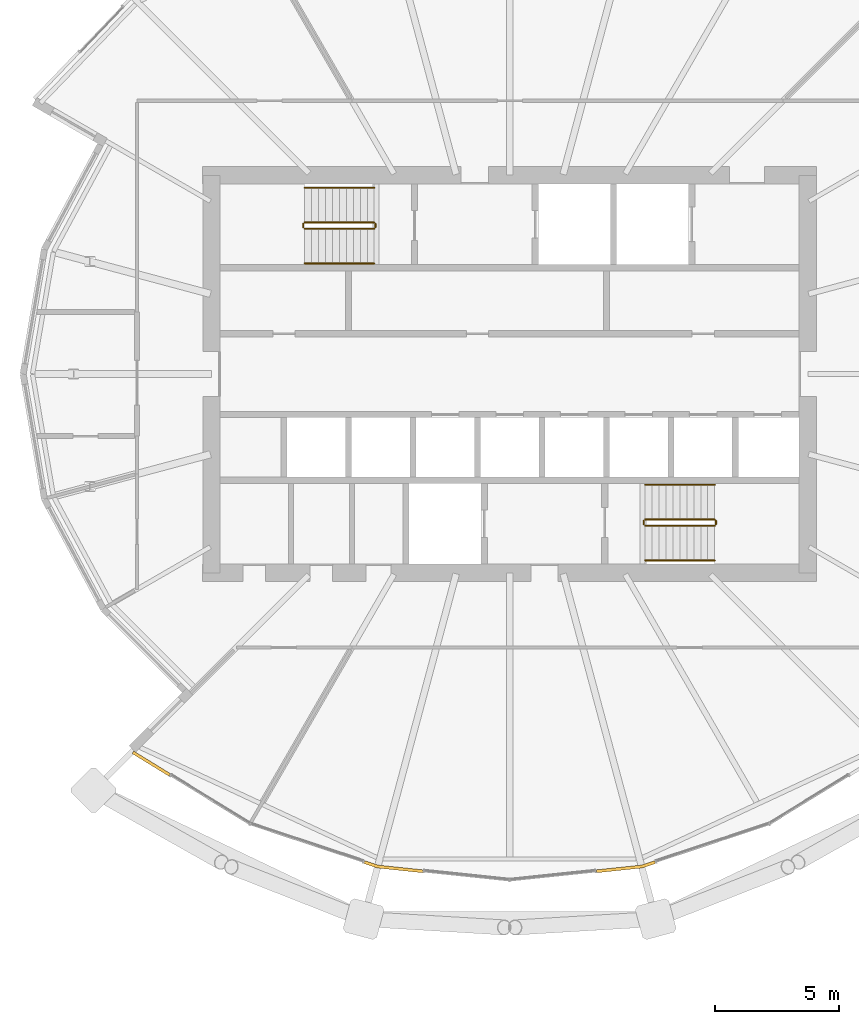
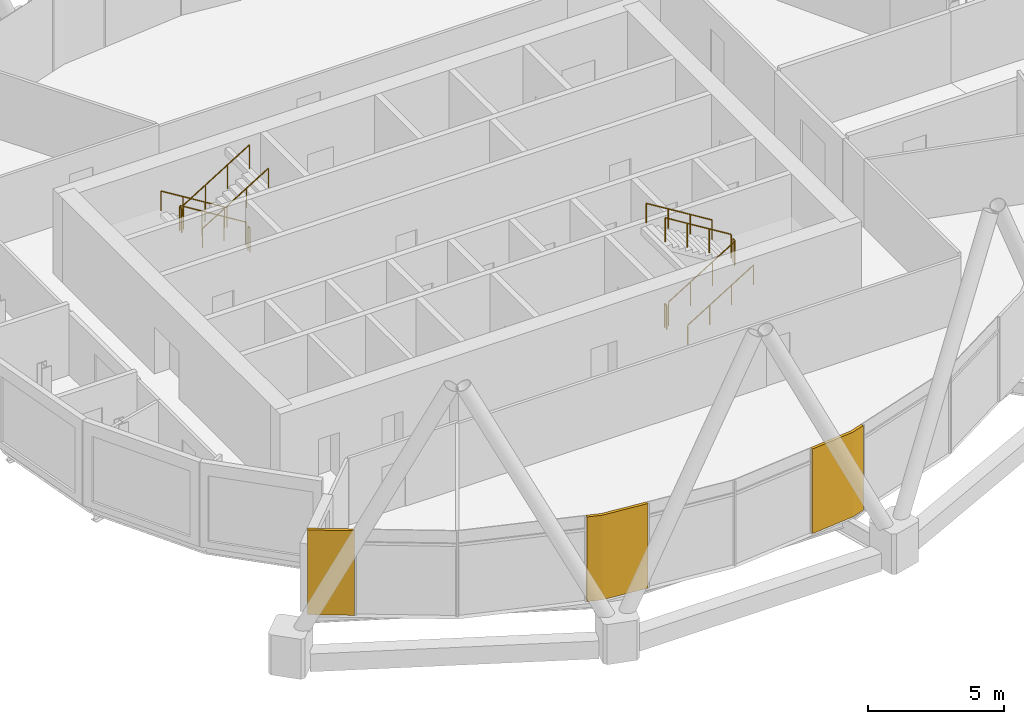
# One storey, part 32 of 35: 12 railings, 3 coverings.
"""IFC4 building model written with IfcOpenShell, lengths in metres."""

from ifc_helpers import new_model, si_unit, direction, frame, origin, origin_2d, place, context, subcontext, project, spatial, polyline, circle, outline, extrude, material, layer, layer_set, type_object, element, save


model = new_model("IFC4")

# Units and contexts
model_context = context("Model", 3, precision=1e-05, world=origin(), true_north=direction((0.0, 1.0)))
body_context = subcontext(model_context, "Body", "Model", "MODEL_VIEW")
ifc_project = project(units=[si_unit("LENGTHUNIT", "METRE"), si_unit("AREAUNIT", "SQUARE_METRE"), si_unit("VOLUMEUNIT", "CUBIC_METRE"), si_unit("PLANEANGLEUNIT", "RADIAN"), si_unit("MASSUNIT", "GRAM", prefix="KILO")], contexts=[model_context])

# Site, building, storey
site_placement = place(None, origin())
site = spatial("IfcSite", under=ifc_project, at=site_placement, CompositionType="ELEMENT")
building_placement = place(site_placement, origin())
building = spatial("IfcBuilding", under=site, at=building_placement, Name="Rimbun Link Towers", CompositionType="ELEMENT")
storey_placement = place(building_placement, frame((0.0, 0.0, 146.800048828125)))
storey = spatial("IfcBuildingStorey", under=building, at=storey_placement, Name="L35", CompositionType="ELEMENT", Elevation=146.800048828125)

# Coverings
ifc_material_1 = material(Name="Terracotta", Category="masonry")
ifc_layer = layer(ifc_material_1, 0.1201171875)
ifc_layer_set = layer_set([ifc_layer], Name="LINK PIER terracotta cladding 120")
covering_type = type_object("IfcCoveringType", Name="LINK PIER terracotta cladding 120", PredefinedType="CLADDING", material=ifc_layer_set)
covering_1_placement = place(storey_placement, origin())
element("IfcCovering", 1, at=covering_1_placement, inside=storey, type_object=covering_type, Name="LINK PIER cladding", PredefinedType="CLADDING", context=body_context, shape_type="SweptSolid", body=[
    extrude(outline(polyline([(-45.395751953125, -16.080322265625), (-46.878662109375, -15.169921875), (-46.94140625, -15.272216796875), (-45.45849609375, -16.1826171875), (-45.395751953125, -16.080322265625)])), origin(), (0.0, 0.0, 1.0), 3.800048828125),
])
covering_2_placement = place(storey_placement, origin())
element("IfcCovering", 2, at=covering_2_placement, inside=storey, type_object=covering_type, Name="LINK PIER cladding", PredefinedType="CLADDING", context=body_context, shape_type="SweptSolid", body=[
    extrude(outline(polyline([(-35.234130859375, -19.94873046875), (-37.044189453125, -19.758056640625), (-37.585205078125, -19.57861328125), (-37.622802734375, -19.692626953125), (-37.069580078125, -19.8759765625), (-35.24658203125, -20.06787109375), (-35.234130859375, -19.94873046875)])), origin(), (0.0, 0.0, 1.0), 3.800048828125),
])
covering_3_placement = place(storey_placement, origin())
element("IfcCovering", 3, at=covering_3_placement, inside=storey, type_object=covering_type, Name="LINK PIER cladding", PredefinedType="CLADDING", context=body_context, shape_type="SweptSolid", body=[
    extrude(outline(polyline([(-25.914794921875, -19.57861328125), (-26.455810546875, -19.758056640625), (-28.265869140625, -19.94873046875), (-28.25341796875, -20.06787109375), (-26.430419921875, -19.8759765625), (-25.877197265625, -19.692626953125), (-25.914794921875, -19.57861328125)])), origin(), (0.0, 0.0, 1.0), 3.800048828125),
])

# Railings
ifc_material_2 = material(Name="Stainless steel grade 316", Category="steel")
railing_type_1 = type_object("IfcRailingType", Name="Stair guard", PredefinedType="GUARDRAIL", material=ifc_material_2)
railing_1_placement = place(storey_placement, frame((-37.199951171875, 6.10009765625, 0.172607421875)))
element("IfcRailing", 4, at=railing_1_placement, inside=storey, type_object=railing_type_1, Name="L35 ST1 stair guard 1", PredefinedType="GUARDRAIL", context=body_context, shape_type="SweptSolid", body=[
    extrude(circle(Radius=0.02392578125, at=origin_2d()), frame((0.0, 0.0, 1.076171875), z_axis=(-0.851089632645, 0.0, 0.525020415988), x_axis=(0.0, -1.0, 0.0)), (0.0, 0.0, 1.0), 3.2900390625),
    extrude(circle(Radius=0.02099609375, at=origin_2d()), origin(), (0.0, 0.0, 1.0), 1.052001953125),
    extrude(circle(Radius=0.02099609375, at=origin_2d()), frame((-0.933349609375, 0.0, 0.57568359375)), (0.0, 0.0, 1.0), 1.052001953125),
    extrude(circle(Radius=0.02099609375, at=origin_2d()), frame((-1.86669921875, 0.0, 1.151611328125)), (0.0, 0.0, 1.0), 1.052001953125),
    extrude(circle(Radius=0.02099609375, at=origin_2d()), frame((-2.800048828125, 0.0, 1.727294921875)), (0.0, 0.0, 1.0), 1.052001953125),
])
railing_2_placement = place(storey_placement, frame((-40.050048828125, 6.050048828125, 1.89990234375)))
element("IfcRailing", 5, at=railing_2_placement, inside=storey, type_object=railing_type_1, Name="L35 ST1 stair guard 2", PredefinedType="GUARDRAIL", context=body_context, shape_type="SweptSolid", body=[
    extrude(circle(Radius=0.02392578125, at=origin_2d()), frame((0.0, 0.0, 1.076171875), z_axis=(0.0, -1.0, 0.0), x_axis=(1.0, 0.0, 0.0)), (0.0, 0.0, 1.0), 0.150146484375),
    extrude(circle(Radius=0.02099609375, at=origin_2d()), origin(), (0.0, 0.0, 1.0), 1.052001953125),
    extrude(circle(Radius=0.02099609375, at=origin_2d()), frame((0.0, -0.150146484375, 0.0)), (0.0, 0.0, 1.0), 1.052001953125),
])
railing_3_placement = place(storey_placement, frame((-40.0, 5.85009765625, 2.07275390625)))
element("IfcRailing", 6, at=railing_3_placement, inside=storey, type_object=railing_type_1, Name="L35 ST1 stair guard 3", PredefinedType="GUARDRAIL", context=body_context, shape_type="SweptSolid", body=[
    extrude(circle(Radius=0.02392578125, at=origin_2d()), frame((0.0, 0.0, 1.076171875), z_axis=(0.851089632645, 0.0, 0.525020415988), x_axis=(0.0, 1.0, 0.0)), (0.0, 0.0, 1.0), 3.2900390625),
    extrude(circle(Radius=0.02099609375, at=origin_2d()), origin(), (0.0, 0.0, 1.0), 1.052001953125),
    extrude(circle(Radius=0.02099609375, at=origin_2d()), frame((0.933349609375, 0.0, 0.57568359375)), (0.0, 0.0, 1.0), 1.052001953125),
    extrude(circle(Radius=0.02099609375, at=origin_2d()), frame((1.86669921875, 0.0, 1.151611328125)), (0.0, 0.0, 1.0), 1.052001953125),
    extrude(circle(Radius=0.02099609375, at=origin_2d()), frame((2.800048828125, 0.0, 1.727294921875)), (0.0, 0.0, 1.0), 1.052001953125),
])
railing_4_placement = place(storey_placement, frame((-37.14990234375, 6.050048828125, 0.0)))
element("IfcRailing", 7, at=railing_4_placement, inside=storey, type_object=railing_type_1, Name="L35 ST1 stair guard 4", PredefinedType="GUARDRAIL", context=body_context, shape_type="SweptSolid", body=[
    extrude(circle(Radius=0.02392578125, at=origin_2d()), frame((0.0, 0.0, 1.076171875), z_axis=(0.0, -1.0, 0.0), x_axis=(1.0, 0.0, 0.0)), (0.0, 0.0, 1.0), 0.150146484375),
    extrude(circle(Radius=0.02099609375, at=origin_2d()), origin(), (0.0, 0.0, 1.0), 1.052001953125),
    extrude(circle(Radius=0.02099609375, at=origin_2d()), frame((0.0, -0.150146484375, 0.0)), (0.0, 0.0, 1.0), 1.052001953125),
])
railing_5_placement = place(storey_placement, frame((-26.300048828125, -6.10009765625, 0.172607421875)))
element("IfcRailing", 8, at=railing_5_placement, inside=storey, type_object=railing_type_1, Name="L35 ST2 stair guard 1", PredefinedType="GUARDRAIL", context=body_context, shape_type="SweptSolid", body=[
    extrude(circle(Radius=0.02392578125, at=origin_2d()), frame((0.0, 0.0, 1.076171875), z_axis=(0.851089632645, 0.0, 0.525020415988), x_axis=(0.0, 1.0, 0.0)), (0.0, 0.0, 1.0), 3.2900390625),
    extrude(circle(Radius=0.02099609375, at=origin_2d()), origin(), (0.0, 0.0, 1.0), 1.052001953125),
    extrude(circle(Radius=0.02099609375, at=origin_2d()), frame((0.933349609375, 0.0, 0.57568359375)), (0.0, 0.0, 1.0), 1.052001953125),
    extrude(circle(Radius=0.02099609375, at=origin_2d()), frame((1.86669921875, 0.0, 1.151611328125)), (0.0, 0.0, 1.0), 1.052001953125),
    extrude(circle(Radius=0.02099609375, at=origin_2d()), frame((2.800048828125, 0.0, 1.727294921875)), (0.0, 0.0, 1.0), 1.052001953125),
])
railing_6_placement = place(storey_placement, frame((-23.449951171875, -6.050048828125, 1.89990234375)))
element("IfcRailing", 9, at=railing_6_placement, inside=storey, type_object=railing_type_1, Name="L35 ST2 stair guard 2", PredefinedType="GUARDRAIL", context=body_context, shape_type="SweptSolid", body=[
    extrude(circle(Radius=0.02392578125, at=origin_2d()), frame((0.0, 0.0, 1.076171875), z_axis=(0.0, 1.0, 0.0), x_axis=(-1.0, 0.0, 0.0)), (0.0, 0.0, 1.0), 0.150146484375),
    extrude(circle(Radius=0.02099609375, at=origin_2d()), origin(), (0.0, 0.0, 1.0), 1.052001953125),
    extrude(circle(Radius=0.02099609375, at=origin_2d()), frame((0.0, 0.150146484375, 0.0)), (0.0, 0.0, 1.0), 1.052001953125),
])
railing_7_placement = place(storey_placement, frame((-23.5, -5.85009765625, 2.07275390625)))
element("IfcRailing", 10, at=railing_7_placement, inside=storey, type_object=railing_type_1, Name="L35 ST2 stair guard 3", PredefinedType="GUARDRAIL", context=body_context, shape_type="SweptSolid", body=[
    extrude(circle(Radius=0.02392578125, at=origin_2d()), frame((0.0, 0.0, 1.076171875), z_axis=(-0.851089632645, 0.0, 0.525020415988), x_axis=(0.0, -1.0, 0.0)), (0.0, 0.0, 1.0), 3.2900390625),
    extrude(circle(Radius=0.02099609375, at=origin_2d()), origin(), (0.0, 0.0, 1.0), 1.052001953125),
    extrude(circle(Radius=0.02099609375, at=origin_2d()), frame((-0.933349609375, 0.0, 0.57568359375)), (0.0, 0.0, 1.0), 1.052001953125),
    extrude(circle(Radius=0.02099609375, at=origin_2d()), frame((-1.86669921875, 0.0, 1.151611328125)), (0.0, 0.0, 1.0), 1.052001953125),
    extrude(circle(Radius=0.02099609375, at=origin_2d()), frame((-2.800048828125, 0.0, 1.727294921875)), (0.0, 0.0, 1.0), 1.052001953125),
])
railing_8_placement = place(storey_placement, frame((-26.35009765625, -6.050048828125, 0.0)))
element("IfcRailing", 11, at=railing_8_placement, inside=storey, type_object=railing_type_1, Name="L35 ST2 stair guard 4", PredefinedType="GUARDRAIL", context=body_context, shape_type="SweptSolid", body=[
    extrude(circle(Radius=0.02392578125, at=origin_2d()), frame((0.0, 0.0, 1.076171875), z_axis=(0.0, 1.0, 0.0), x_axis=(-1.0, 0.0, 0.0)), (0.0, 0.0, 1.0), 0.150146484375),
    extrude(circle(Radius=0.02099609375, at=origin_2d()), origin(), (0.0, 0.0, 1.0), 1.052001953125),
    extrude(circle(Radius=0.02099609375, at=origin_2d()), frame((0.0, 0.150146484375, 0.0)), (0.0, 0.0, 1.0), 1.052001953125),
])
ifc_material_3 = material(Name="Stainless steel grade 316", Category="steel")
railing_type_2 = type_object("IfcRailingType", Name="Stair handrail", PredefinedType="HANDRAIL", material=ifc_material_3)
railing_9_placement = place(storey_placement, frame((-37.199951171875, 7.5, 0.172607421875)))
element("IfcRailing", 12, at=railing_9_placement, inside=storey, type_object=railing_type_2, Name="L35 ST1 stair handrail 1", PredefinedType="HANDRAIL", context=body_context, shape_type="SweptSolid", body=[
    extrude(circle(Radius=0.02392578125, at=origin_2d()), frame((0.0, 0.0, 0.8759765625), z_axis=(-0.851089632645, 0.0, 0.525020415988), x_axis=(0.0, -1.0, 0.0)), (0.0, 0.0, 1.0), 3.2900390625),
    extrude(circle(Radius=0.02099609375, at=origin_2d()), origin(), (0.0, 0.0, 1.0), 0.851806640625),
    extrude(circle(Radius=0.02099609375, at=origin_2d()), frame((-0.933349609375, 0.0, 0.57568359375)), (0.0, 0.0, 1.0), 0.851806640625),
    extrude(circle(Radius=0.02099609375, at=origin_2d()), frame((-1.86669921875, 0.0, 1.151611328125)), (0.0, 0.0, 1.0), 0.851806640625),
    extrude(circle(Radius=0.02099609375, at=origin_2d()), frame((-2.800048828125, 0.0, 1.727294921875)), (0.0, 0.0, 1.0), 0.851806640625),
])
for number, where, name in (
    (13, (-40.0, 4.449951171875, 2.07275390625), "L35 ST1 stair handrail 2"),
    (14, (-26.300048828125, -7.5, 0.172607421875), "L35 ST2 stair handrail 1"),
):
    element("IfcRailing", number, at=place(storey_placement, frame(where)), inside=storey, type_object=railing_type_2, Name=name, PredefinedType="HANDRAIL", context=body_context, shape_type="SweptSolid", body=[
        extrude(circle(Radius=0.02392578125, at=origin_2d()), frame((0.0, 0.0, 0.8759765625), z_axis=(0.851089632645, 0.0, 0.525020415988), x_axis=(0.0, 1.0, 0.0)), (0.0, 0.0, 1.0), 3.2900390625),
        extrude(circle(Radius=0.02099609375, at=origin_2d()), origin(), (0.0, 0.0, 1.0), 0.851806640625),
        extrude(circle(Radius=0.02099609375, at=origin_2d()), frame((0.933349609375, 0.0, 0.57568359375)), (0.0, 0.0, 1.0), 0.851806640625),
        extrude(circle(Radius=0.02099609375, at=origin_2d()), frame((1.86669921875, 0.0, 1.151611328125)), (0.0, 0.0, 1.0), 0.851806640625),
        extrude(circle(Radius=0.02099609375, at=origin_2d()), frame((2.800048828125, 0.0, 1.727294921875)), (0.0, 0.0, 1.0), 0.851806640625),
    ])
railing_10_placement = place(storey_placement, frame((-23.5, -4.449951171875, 2.07275390625)))
element("IfcRailing", 15, at=railing_10_placement, inside=storey, type_object=railing_type_2, Name="L35 ST2 stair handrail 2", PredefinedType="HANDRAIL", context=body_context, shape_type="SweptSolid", body=[
    extrude(circle(Radius=0.02392578125, at=origin_2d()), frame((0.0, 0.0, 0.8759765625), z_axis=(-0.851089632645, 0.0, 0.525020415988), x_axis=(0.0, -1.0, 0.0)), (0.0, 0.0, 1.0), 3.2900390625),
    extrude(circle(Radius=0.02099609375, at=origin_2d()), origin(), (0.0, 0.0, 1.0), 0.851806640625),
    extrude(circle(Radius=0.02099609375, at=origin_2d()), frame((-0.933349609375, 0.0, 0.57568359375)), (0.0, 0.0, 1.0), 0.851806640625),
    extrude(circle(Radius=0.02099609375, at=origin_2d()), frame((-1.86669921875, 0.0, 1.151611328125)), (0.0, 0.0, 1.0), 0.851806640625),
    extrude(circle(Radius=0.02099609375, at=origin_2d()), frame((-2.800048828125, 0.0, 1.727294921875)), (0.0, 0.0, 1.0), 0.851806640625),
])

save(model, "model.ifc")
